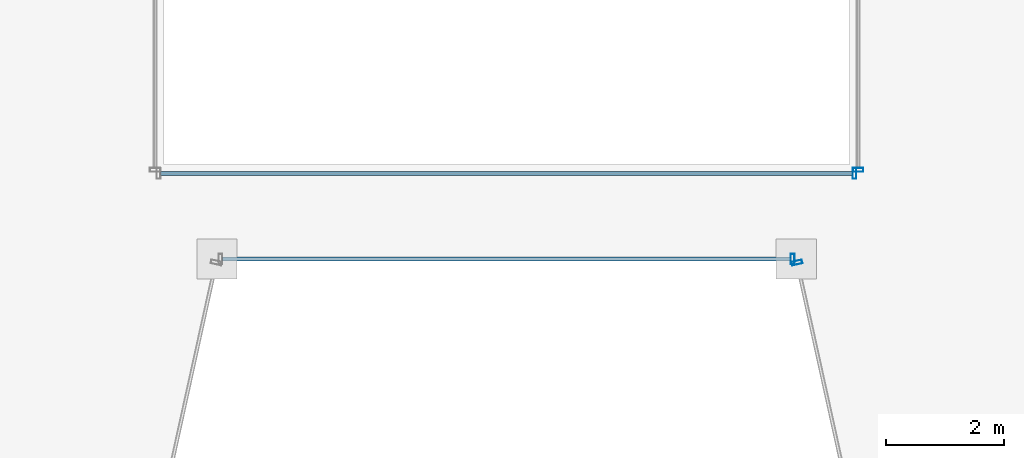
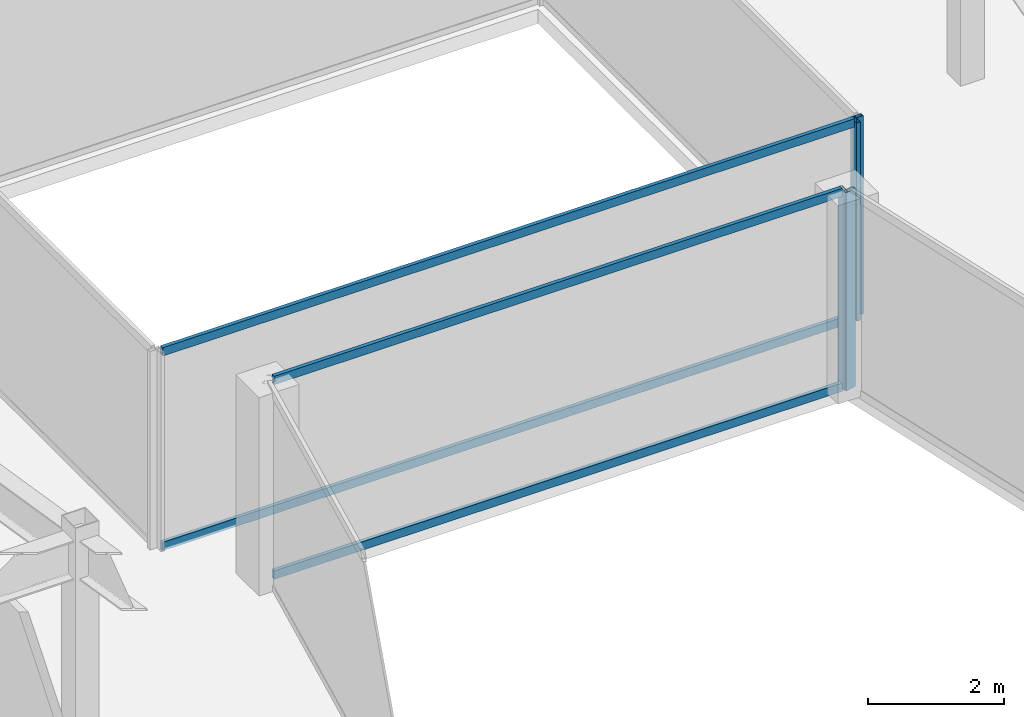
# One storey, part 8 of 36: 8 members, 4 elements without a shape of their own.
"""IFC4 building model written with IfcOpenShell, lengths in metres."""

from ifc_helpers import new_model, si_unit, direction, frame, origin, origin_2d, place, context, subcontext, project, spatial, hollow_rectangle, extrude, material, material_profile, profile_set, type_object, element, aggregate, save


model = new_model("IFC4")

# Units and contexts
model_context = context("Model", 3, precision=1e-05, world=origin(), true_north=direction((0.0, 1.0)))
body_context = subcontext(model_context, "Body", "Model", "MODEL_VIEW")
ifc_project = project(units=[si_unit("LENGTHUNIT", "METRE"), si_unit("AREAUNIT", "SQUARE_METRE"), si_unit("VOLUMEUNIT", "CUBIC_METRE"), si_unit("PLANEANGLEUNIT", "RADIAN"), si_unit("MASSUNIT", "GRAM", prefix="KILO")], contexts=[model_context])

# Site, building, storey
site_placement = place(None, origin())
site = spatial("IfcSite", under=ifc_project, at=site_placement, CompositionType="ELEMENT")
building_placement = place(site_placement, origin())
building = spatial("IfcBuilding", under=site, at=building_placement, Name="Saevonmaru Cultural Tower", CompositionType="ELEMENT")
storey_placement = place(building_placement, frame((0.0, 0.0, 198.0)))
storey = spatial("IfcBuildingStorey", under=building, at=storey_placement, Name="L45", CompositionType="ELEMENT", Elevation=198.0)

# Curtain wall, member
ifc_material = material(Name="Satin Bronze Anodised Aluminium", Category="aluminium")
curtain_wall_type_1 = type_object("IfcCurtainWallType", Name="CW-TYP-B", PredefinedType="NOTDEFINED", material=ifc_material)
curtain_wall_1_placement = place(storey_placement, origin())
curtain_wall_1 = element("IfcCurtainWall", 1, at=curtain_wall_1_placement, inside=storey, type_object=curtain_wall_type_1, Name="L45 Unitised Curtain Wall E4", PredefinedType="NOTDEFINED")
ifc_material_profile_1 = material_profile(ifc_material, hollow_rectangle(XDim=0.06494140625, YDim=0.179931640625, WallThickness=0.00390625, at=origin_2d()), Name="ALU-MULL-180x65x4")
ifc_profile_set_1 = profile_set([ifc_material_profile_1], Name="Satin Bronze Anodised Aluminium")
member_type_1 = type_object("IfcMemberType", Name="ML-CW-180x65", PredefinedType="MULLION", material=ifc_profile_set_1)
member_1_placement = place(storey_placement, frame((34.84228515625, 26.0, 0.0), z_axis=(0.0, 0.0, 1.0), x_axis=(1.0, 0.0, 0.0)))
member_1 = element("IfcMember", 2, at=member_1_placement, type_object=member_type_1, Name="CW-TW-L45-E4 mullion 2", PredefinedType="MULLION", context=body_context, shape_type="SweptSolid", body=[
    extrude(hollow_rectangle(XDim=0.06494140625, YDim=0.179931640625, WallThickness=0.00390625, at=origin_2d()), origin(), (0.0, 0.0, 1.0), 3.550048828125),
])

curtain_wall_2_placement = place(storey_placement, origin())
curtain_wall_2 = element("IfcCurtainWall", 3, at=curtain_wall_2_placement, inside=storey, type_object=curtain_wall_type_1, Name="L45 Unitised Curtain Wall E5", PredefinedType="NOTDEFINED")
member_2_placement = place(storey_placement, frame((34.9150390625, 25.94140625, 0.0), z_axis=(0.0, 0.0, 1.0), x_axis=(0.215413319953, -0.976522965212, 0.0)))
member_2 = element("IfcMember", 4, at=member_2_placement, type_object=member_type_1, Name="CW-TW-L45-E5 mullion 1", PredefinedType="MULLION", context=body_context, shape_type="SweptSolid", body=[
    extrude(hollow_rectangle(XDim=0.06494140625, YDim=0.179931640625, WallThickness=0.00390625, at=origin_2d()), origin(), (0.0, 0.0, 1.0), 3.550048828125),
])
aggregate(curtain_wall_2, [member_2])

curtain_wall_type_2 = type_object("IfcCurtainWallType", Name="CW-ATR-GLZ", PredefinedType="NOTDEFINED", material=ifc_material)
curtain_wall_3_placement = place(storey_placement, origin())
curtain_wall_3 = element("IfcCurtainWall", 5, at=curtain_wall_3_placement, inside=storey, type_object=curtain_wall_type_2, Name="L45 Vertical Atrium Glazed Smoke Screen 1", PredefinedType="NOTDEFINED")
ifc_material_profile_2 = material_profile(ifc_material, hollow_rectangle(XDim=0.06494140625, YDim=0.179931640625, WallThickness=0.00390625, at=origin_2d()), Name="ALU-MULL-180x65x4")
ifc_profile_set_2 = profile_set([ifc_material_profile_2], Name="Satin Bronze Anodised Aluminium")
member_type_2 = type_object("IfcMemberType", Name="ML-CW-INT-180x65", PredefinedType="MULLION", material=ifc_profile_set_2)
member_3_placement = place(storey_placement, frame((35.889892578125, 27.449951171875, 0.0), z_axis=(0.0, 0.0, 1.0), x_axis=(1.0, 0.0, 0.0)))
member_3 = element("IfcMember", 6, at=member_3_placement, type_object=member_type_2, Name="CW-ATR-L45-1 mullion 2", PredefinedType="MULLION", context=body_context, shape_type="SweptSolid", body=[
    extrude(hollow_rectangle(XDim=0.06494140625, YDim=0.179931640625, WallThickness=0.00390625, at=origin_2d()), origin(), (0.0, 0.0, 1.0), 3.550048828125),
])

curtain_wall_4_placement = place(storey_placement, origin())
curtain_wall_4 = element("IfcCurtainWall", 7, at=curtain_wall_4_placement, inside=storey, type_object=curtain_wall_type_2, Name="L45 Vertical Atrium Glazed Smoke Screen 2", PredefinedType="NOTDEFINED")
member_4_placement = place(storey_placement, frame((35.949951171875, 27.510009765625, 0.0), z_axis=(0.0, 0.0, 1.0), x_axis=(0.0, 1.0, 0.0)))
member_4 = element("IfcMember", 8, at=member_4_placement, type_object=member_type_2, Name="CW-ATR-L45-2 mullion 1", PredefinedType="MULLION", context=body_context, shape_type="SweptSolid", body=[
    extrude(hollow_rectangle(XDim=0.06494140625, YDim=0.179931640625, WallThickness=0.00390625, at=origin_2d()), origin(), (0.0, 0.0, 1.0), 3.550048828125),
])
aggregate(curtain_wall_4, [member_4])

# Member
ifc_material_profile_3 = material_profile(ifc_material, hollow_rectangle(XDim=0.06494140625, YDim=0.14990234375, WallThickness=0.00390625, at=origin_2d()), Name="ALU-TRAN-150x65x4")
ifc_profile_set_3 = profile_set([ifc_material_profile_3], Name="Satin Bronze Anodised Aluminium")
member_type_3 = type_object("IfcMemberType", Name="TR-CW-150x65", PredefinedType="USERDEFINED", material=ifc_profile_set_3)
member_5_placement = place(storey_placement, frame((25.190185546875, 26.0, 0.032470703125), z_axis=(1.0, 0.0, 0.0), x_axis=(0.0, 1.0, 0.0)))
member_5 = element("IfcMember", 9, at=member_5_placement, type_object=member_type_3, Name="CW-TW-L45-E4 transom 1.1", ObjectType="TRANSOM", PredefinedType="USERDEFINED", context=body_context, shape_type="SweptSolid", body=[
    extrude(hollow_rectangle(XDim=0.06494140625, YDim=0.14990234375, WallThickness=0.00390625, at=origin_2d()), origin(), (0.0, 0.0, 1.0), 9.61962890625),
])

member_6_placement = place(storey_placement, frame((25.190185546875, 26.0, 3.517578125), z_axis=(1.0, 0.0, 0.0), x_axis=(0.0, 1.0, 0.0)))
member_6 = element("IfcMember", 10, at=member_6_placement, type_object=member_type_3, Name="CW-TW-L45-E4 transom 1.2", ObjectType="TRANSOM", PredefinedType="USERDEFINED", context=body_context, shape_type="SweptSolid", body=[
    extrude(hollow_rectangle(XDim=0.06494140625, YDim=0.14990234375, WallThickness=0.00390625, at=origin_2d()), origin(), (0.0, 0.0, 1.0), 9.61962890625),
])

aggregate(curtain_wall_1, [member_1, member_5, member_6])

ifc_material_profile_4 = material_profile(ifc_material, hollow_rectangle(XDim=0.06494140625, YDim=0.14990234375, WallThickness=0.00390625, at=origin_2d()), Name="ALU-TRAN-150x65x4")
ifc_profile_set_4 = profile_set([ifc_material_profile_4], Name="Satin Bronze Anodised Aluminium")
member_type_4 = type_object("IfcMemberType", Name="TR-CW-INT-150x65", PredefinedType="USERDEFINED", material=ifc_profile_set_4)
member_7_placement = place(storey_placement, frame((24.142578125, 27.449951171875, 0.032470703125), z_axis=(1.0, 0.0, 0.0), x_axis=(0.0, 1.0, 0.0)))
member_7 = element("IfcMember", 11, at=member_7_placement, type_object=member_type_4, Name="CW-ATR-L45-1 transom 1.1", ObjectType="TRANSOM", PredefinedType="USERDEFINED", context=body_context, shape_type="SweptSolid", body=[
    extrude(hollow_rectangle(XDim=0.06494140625, YDim=0.14990234375, WallThickness=0.00390625, at=origin_2d()), origin(), (0.0, 0.0, 1.0), 11.71484375),
])

member_8_placement = place(storey_placement, frame((24.142578125, 27.449951171875, 3.517578125), z_axis=(1.0, 0.0, 0.0), x_axis=(0.0, 1.0, 0.0)))
member_8 = element("IfcMember", 12, at=member_8_placement, type_object=member_type_4, Name="CW-ATR-L45-1 transom 1.2", ObjectType="TRANSOM", PredefinedType="USERDEFINED", context=body_context, shape_type="SweptSolid", body=[
    extrude(hollow_rectangle(XDim=0.06494140625, YDim=0.14990234375, WallThickness=0.00390625, at=origin_2d()), origin(), (0.0, 0.0, 1.0), 11.71484375),
])

aggregate(curtain_wall_3, [member_3, member_7, member_8])

save(model, "model.ifc")
